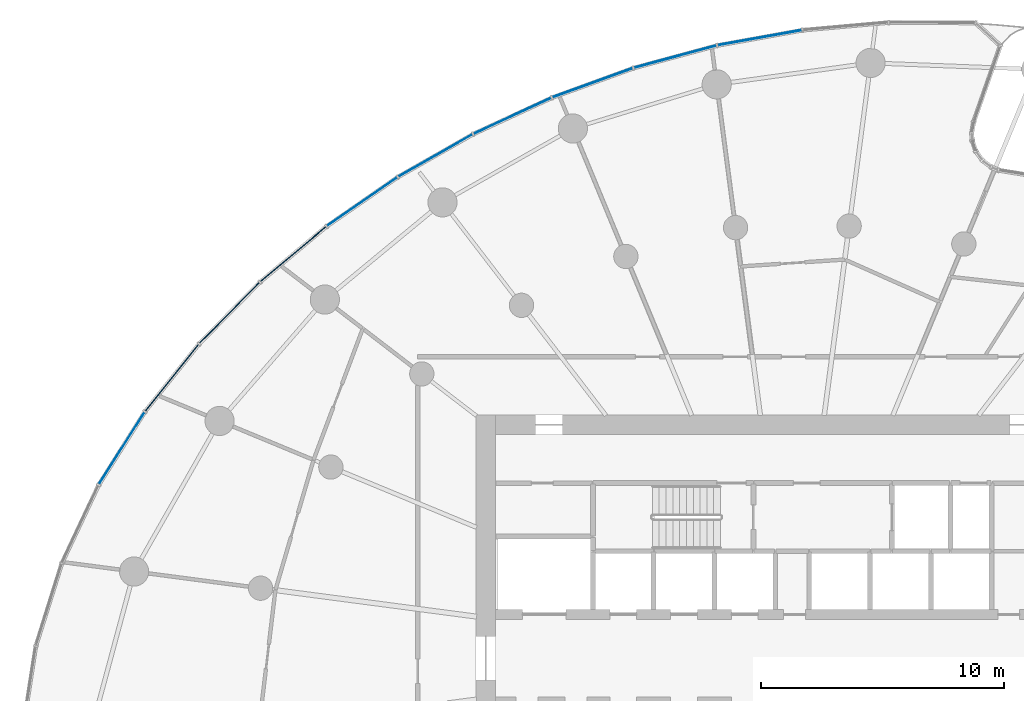
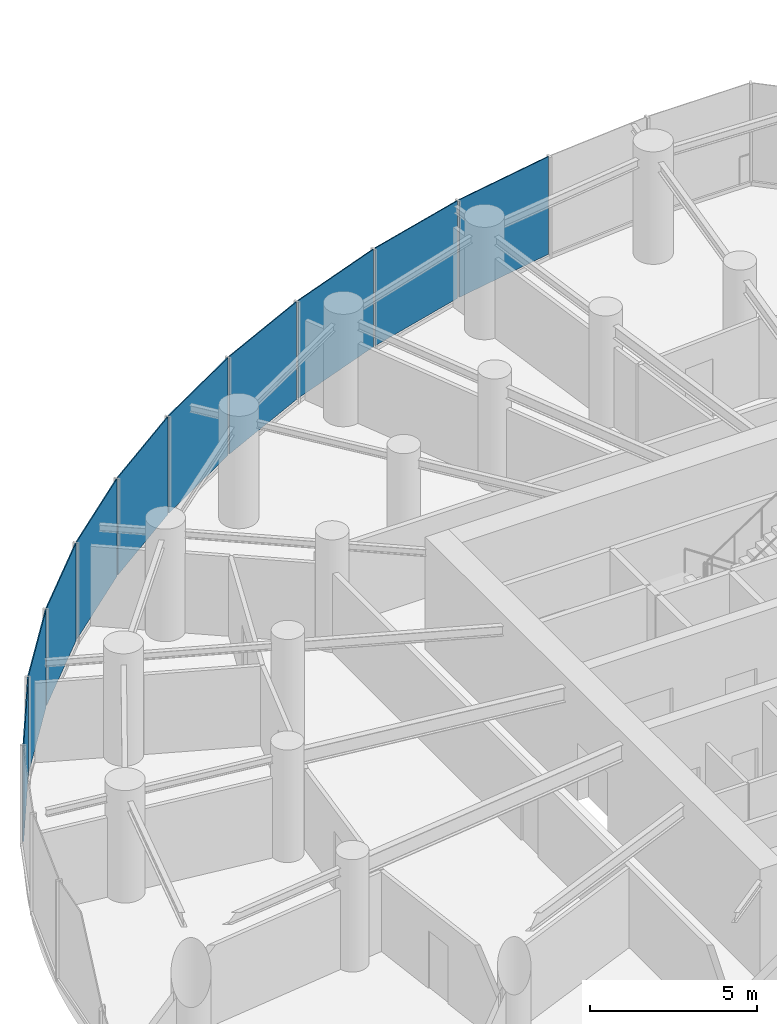
# One storey, part 12 of 21: 10 plates, 2 elements without a shape of their own.
"""IFC4 building model written with IfcOpenShell, lengths in metres."""

from ifc_helpers import new_model, si_unit, direction, frame, origin, origin_2d, place, context, subcontext, project, spatial, rectangle, extrude, source, transform, mapped, material, layer, layer_set, type_object, element, aggregate, save


model = new_model("IFC4")

# Units and contexts
model_context = context("Model", 3, precision=1e-05, world=origin(), true_north=direction((0.0, 1.0)))
body_context = subcontext(model_context, "Body", "Model", "MODEL_VIEW")
ifc_project = project(units=[si_unit("LENGTHUNIT", "METRE"), si_unit("AREAUNIT", "SQUARE_METRE"), si_unit("VOLUMEUNIT", "CUBIC_METRE"), si_unit("PLANEANGLEUNIT", "RADIAN"), si_unit("MASSUNIT", "GRAM", prefix="KILO")], contexts=[model_context])

# Site, building, storey
site_placement = place(None, origin())
site = spatial("IfcSite", under=ifc_project, at=site_placement, CompositionType="ELEMENT")
building_placement = place(site_placement, origin())
building = spatial("IfcBuilding", under=site, at=building_placement, Name="Spindrift Exchange Tower", CompositionType="ELEMENT")
storey_placement = place(building_placement, frame((0.0, 0.0, 83.89990234375)))
storey = spatial("IfcBuildingStorey", under=building, at=storey_placement, Name="L19", CompositionType="ELEMENT", Elevation=83.89990234375)

# Curtain wall, plates
ifc_material_1 = material(Name="Fritted laminated glass with bronze frame", Category="glass")
ifc_layer_1 = layer(ifc_material_1, 0.18994140625)
ifc_layer_set_1 = layer_set([ifc_layer_1], Name="ZONE 2 BRONZE FRITTED WALL")
curtain_wall_type = type_object("IfcCurtainWallType", Name="ZONE 2 BRONZE FRITTED WALL", PredefinedType="NOTDEFINED", material=ifc_layer_set_1)
curtain_wall_1_placement = place(storey_placement, origin())
curtain_wall_1 = element("IfcCurtainWall", 1, at=curtain_wall_1_placement, inside=storey, type_object=curtain_wall_type, Name="L19 Zone 2 Bronze Fritted Wall run 1", PredefinedType="NOTDEFINED")
ifc_material_2 = material(Name="Bronze fritted laminated glass, close frit", Category="glass")
ifc_layer_2 = layer(ifc_material_2, 0.033935546875)
ifc_layer_set_2 = layer_set([ifc_layer_2], Name="ZONE 2 BRONZE FRITTED WALL PANEL CLOSE FRIT 420")
plate_type_1 = type_object("IfcPlateType", Name="ZONE 2 BRONZE FRITTED WALL PANEL CLOSE FRIT 420", PredefinedType="CURTAIN_PANEL", material=ifc_layer_set_2)
shared_shape_1 = source(origin(), body_context, "Body", "SweptSolid", [
    extrude(rectangle(XDim=3.49169921875, YDim=0.033935546875, at=origin_2d()), origin(), (0.0, 0.0, 1.0), 3.56005859375),
])
plate_1_placement = place(storey_placement, frame((50.662109375, 73.514404296875, 0.14013671875), z_axis=(0.0, 0.0, 1.0), x_axis=(-0.984245329572, -0.176808176325, 0.0)))
plate_1 = element("IfcPlate", 2, at=plate_1_placement, type_object=plate_type_1, Name="L19 panel CW-2.3", PredefinedType="CURTAIN_PANEL", context=body_context, shape_type="MappedRepresentation", body=[
    mapped(shared_shape_1, transform((0.0, 0.0, 0.0), scale=1.0)),
])
ifc_layer_3 = layer(ifc_material_2, 0.033935546875)
ifc_layer_set_3 = layer_set([ifc_layer_3], Name="ZONE 2 BRONZE FRITTED WALL PANEL CLOSE FRIT 300")
plate_type_2 = type_object("IfcPlateType", Name="ZONE 2 BRONZE FRITTED WALL PANEL CLOSE FRIT 300", PredefinedType="CURTAIN_PANEL", material=ifc_layer_set_3)
shared_shape_2 = source(origin(), body_context, "Body", "SweptSolid", [
    extrude(rectangle(XDim=3.49169921875, YDim=0.033935546875, at=origin_2d()), origin(), (0.0, 0.0, 1.0), 3.56005859375),
])
plate_2_placement = place(storey_placement, frame((47.185546875, 72.733642578125, 0.14013671875), z_axis=(0.0, 0.0, 1.0), x_axis=(-0.965361149412, -0.260917326382, 0.0)))
plate_2 = element("IfcPlate", 3, at=plate_2_placement, type_object=plate_type_2, Name="L19 panel CW-2.4", PredefinedType="CURTAIN_PANEL", context=body_context, shape_type="MappedRepresentation", body=[
    mapped(shared_shape_2, transform((0.0, 0.0, 0.0), scale=1.0)),
])
plate_3_placement = place(storey_placement, frame((40.492919921875, 70.3017578125, 0.14013671875), z_axis=(0.0, 0.0, 1.0), x_axis=(-0.907727690564, -0.419559816692, 0.0)))
plate_3 = element("IfcPlate", 4, at=plate_3_placement, type_object=plate_type_2, Name="L19 panel CW-2.6", PredefinedType="CURTAIN_PANEL", context=body_context, shape_type="MappedRepresentation", body=[
    mapped(shared_shape_2, transform((0.0, 0.0, 0.0), scale=1.0)),
])

curtain_wall_2_placement = place(storey_placement, origin())
curtain_wall_2 = element("IfcCurtainWall", 5, at=curtain_wall_2_placement, inside=storey, type_object=curtain_wall_type, Name="L19 Zone 2 Bronze Fritted Wall run 2", PredefinedType="NOTDEFINED")
plate_4_placement = place(storey_placement, frame((37.324951171875, 68.67041015625, 0.14013671875), z_axis=(0.0, 0.0, 1.0), x_axis=(-0.86870327862, -0.495332831251, 0.0)))
plate_4 = element("IfcPlate", 6, at=plate_4_placement, type_object=plate_type_2, Name="L19 panel CW-2.7", PredefinedType="CURTAIN_PANEL", context=body_context, shape_type="MappedRepresentation", body=[
    mapped(shared_shape_2, transform((0.0, 0.0, 0.0), scale=1.0)),
])
plate_5_placement = place(storey_placement, frame((34.309814453125, 66.771484375, 0.14013671875), z_axis=(0.0, 0.0, 1.0), x_axis=(-0.822102308453, -0.569339788207, 0.0)))
plate_5 = element("IfcPlate", 7, at=plate_5_placement, type_object=plate_type_2, Name="L19 panel CW-2.8", PredefinedType="CURTAIN_PANEL", context=body_context, shape_type="MappedRepresentation", body=[
    mapped(shared_shape_2, transform((0.0, 0.0, 0.0), scale=1.0)),
])

# Plate
ifc_layer_4 = layer(ifc_material_2, 0.033935546875)
ifc_layer_set_4 = layer_set([ifc_layer_4], Name="ZONE 2 BRONZE FRITTED WALL PANEL CLOSE FRIT 540")
plate_type_3 = type_object("IfcPlateType", Name="ZONE 2 BRONZE FRITTED WALL PANEL CLOSE FRIT 540", PredefinedType="CURTAIN_PANEL", material=ifc_layer_set_4)
shared_shape_3 = source(origin(), body_context, "Body", "SweptSolid", [
    extrude(rectangle(XDim=3.49169921875, YDim=0.033935546875, at=origin_2d()), origin(), (0.0, 0.0, 1.0), 3.56005859375),
])
plate_6_placement = place(storey_placement, frame((43.787841796875, 71.6591796875, 0.14013671875), z_axis=(0.0, 0.0, 1.0), x_axis=(-0.939845939254, -0.341598610167, 0.0)))
plate_6 = element("IfcPlate", 8, at=plate_6_placement, type_object=plate_type_3, Name="L19 panel CW-2.5", PredefinedType="CURTAIN_PANEL", context=body_context, shape_type="MappedRepresentation", body=[
    mapped(shared_shape_3, transform((0.0, 0.0, 0.0), scale=1.0)),
])

aggregate(curtain_wall_1, [plate_1, plate_2, plate_6, plate_3])

shared_shape_4 = source(origin(), body_context, "Body", "SweptSolid", [
    extrude(rectangle(XDim=3.4912109375, YDim=0.033935546875, at=origin_2d()), origin(), (0.0, 0.0, 1.0), 3.56005859375),
])
plate_7_placement = place(storey_placement, frame((31.476318359375, 64.61181640625, 0.14013671875), z_axis=(0.0, 0.0, 1.0), x_axis=(-0.76689079419, -0.641777617082, 0.0)))
plate_7 = element("IfcPlate", 9, at=plate_7_placement, type_object=plate_type_2, Name="L19 panel CW-2.9", PredefinedType="CURTAIN_PANEL", context=body_context, shape_type="MappedRepresentation", body=[
    mapped(shared_shape_4, transform((0.0, 0.0, 0.0), scale=1.0)),
])

plate_8_placement = place(storey_placement, frame((26.49267578125, 59.533935546875, 0.14013671875), z_axis=(0.0, 0.0, 1.0), x_axis=(-0.624606344275, -0.780939763805, 0.0)))
plate_8 = element("IfcPlate", 10, at=plate_8_placement, type_object=plate_type_2, Name="L19 panel CW-2.11", PredefinedType="CURTAIN_PANEL", context=body_context, shape_type="MappedRepresentation", body=[
    mapped(shared_shape_4, transform((0.0, 0.0, 0.0), scale=1.0)),
])

shared_shape_5 = source(origin(), body_context, "Body", "SweptSolid", [
    extrude(rectangle(XDim=3.4912109375, YDim=0.033935546875, at=origin_2d()), origin(), (0.0, 0.0, 1.0), 3.56005859375),
])
plate_9_placement = place(storey_placement, frame((28.857421875, 62.197021484375, 0.14013671875), z_axis=(0.0, 0.0, 1.0), x_axis=(-0.701674447357, -0.71249769819, 0.0)))
plate_9 = element("IfcPlate", 11, at=plate_9_placement, type_object=plate_type_3, Name="L19 panel CW-2.10", PredefinedType="CURTAIN_PANEL", context=body_context, shape_type="MappedRepresentation", body=[
    mapped(shared_shape_5, transform((0.0, 0.0, 0.0), scale=1.0)),
])

shared_shape_6 = source(origin(), body_context, "Body", "SweptSolid", [
    extrude(rectangle(XDim=3.49072265625, YDim=0.033935546875, at=origin_2d()), origin(), (0.0, 0.0, 1.0), 3.56005859375),
])
plate_10_placement = place(storey_placement, frame((24.427734375, 56.6337890625, 0.14013671875), z_axis=(0.0, 0.0, 1.0), x_axis=(-0.533475757825, -0.845815355626, 0.0)))
plate_10 = element("IfcPlate", 12, at=plate_10_placement, type_object=plate_type_1, Name="L19 panel CW-2.12", PredefinedType="CURTAIN_PANEL", context=body_context, shape_type="MappedRepresentation", body=[
    mapped(shared_shape_6, transform((0.0, 0.0, 0.0), scale=1.0)),
])

aggregate(curtain_wall_2, [plate_4, plate_5, plate_7, plate_9, plate_8, plate_10])

save(model, "model.ifc")
